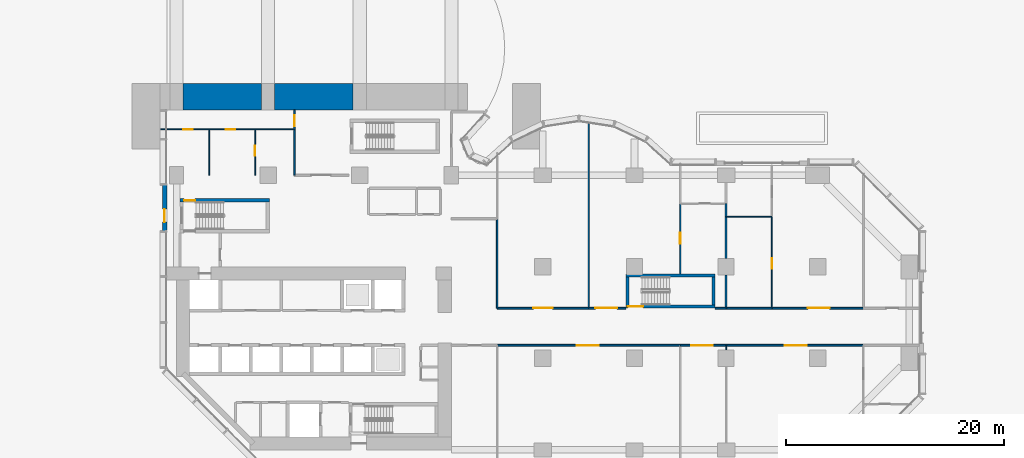
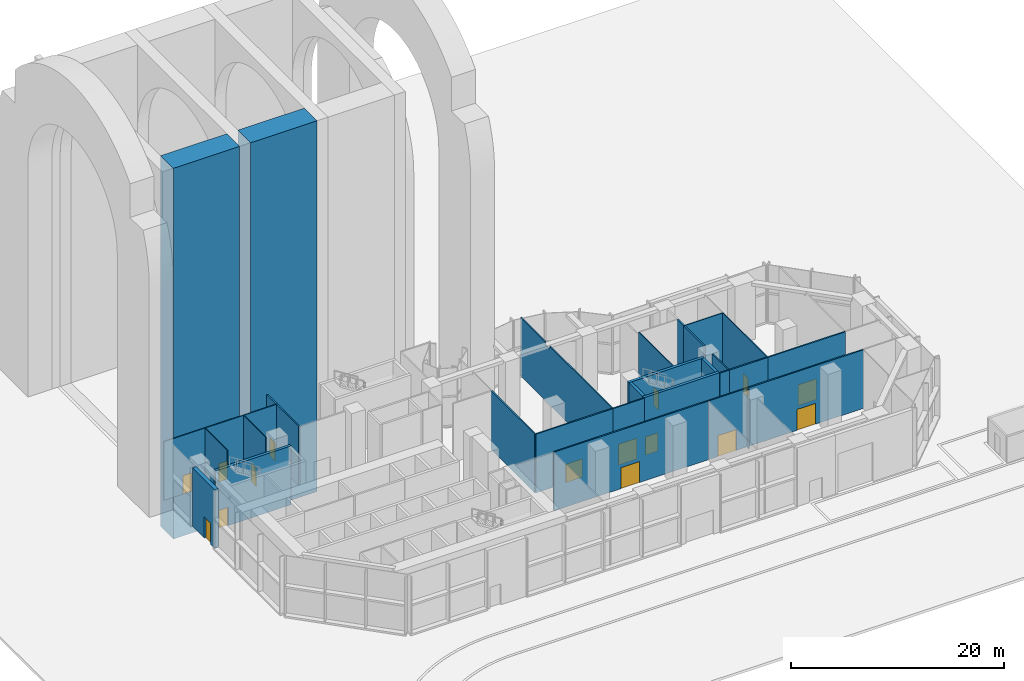
# One storey, part 9 of 21: 32 walls, 15 doors, 15 openings.
"""IFC4 building model written with IfcOpenShell, lengths in metres."""

from ifc_helpers import new_model, si_unit, direction, frame, frame_2d, origin, place, context, subcontext, project, spatial, polyline, rectangle, outline, extrude, material, layer, layer_set, type_object, element, fill, save


model = new_model("IFC4")

# Units and contexts
model_context = context("Model", 3, precision=1e-05, world=origin(), true_north=direction((0.0, 1.0)))
body_context = subcontext(model_context, "Body", "Model", "MODEL_VIEW")
ifc_project = project(units=[si_unit("LENGTHUNIT", "METRE"), si_unit("AREAUNIT", "SQUARE_METRE"), si_unit("VOLUMEUNIT", "CUBIC_METRE"), si_unit("PLANEANGLEUNIT", "RADIAN"), si_unit("MASSUNIT", "GRAM", prefix="KILO")], contexts=[model_context])

# Site, building, storey
site_placement = place(None, origin())
site = spatial("IfcSite", under=ifc_project, at=site_placement, CompositionType="ELEMENT")
building_placement = place(site_placement, origin())
building = spatial("IfcBuilding", under=site, at=building_placement, Name="Brevane Broadcast Tower", CompositionType="ELEMENT")
storey_placement = place(building_placement, origin())
storey = spatial("IfcBuildingStorey", under=building, at=storey_placement, Name="L00", CompositionType="ELEMENT", Elevation=0.0)

# Walls
ifc_material_1 = material(Name="Concrete C80/95", Category="concrete")
ifc_layer_1 = layer(ifc_material_1, 2.39990234375)
ifc_layer_set_1 = layer_set([ifc_layer_1], Name="ARCH PIER WALL 2400 C80/95")
wall_type_1 = type_object("IfcWallType", Name="ARCH PIER WALL 2400 C80/95", PredefinedType="SOLIDWALL", material=ifc_layer_set_1)
for number, where, z_axis, x_axis, name in (
    (1, (0.60009765625, 32.39990234375, -6.300048828125), (0.0, 0.0, 1.0), (1.0, 0.0, 0.0), "AP1 1"),
    (2, (9.0, 32.39990234375, -6.300048828125), (0.0, 0.0, 1.0), (1.0, 0.0, 0.0), "AP1 2"),
):
    element("IfcWall", number, at=place(storey_placement, frame(where, z_axis=z_axis, x_axis=x_axis)), inside=storey, type_object=wall_type_1, Name=name, PredefinedType="SOLIDWALL", context=body_context, shape_type="SweptSolid", body=[
        extrude(rectangle(XDim=7.199951171875, YDim=2.39990234375, at=frame_2d((3.60009765625, 0.0))), origin(), (0.0, 0.0, 1.0), 42.550048828125),
    ])

# Wall, opening, door
ifc_layer_2 = layer(ifc_material_1, 0.300048828125)
ifc_layer_set_2 = layer_set([ifc_layer_2], Name="Core wall 300 mm C80/95")
wall_type_2 = type_object("IfcWallType", Name="Core wall 300 mm C80/95", PredefinedType="SHEAR", material=ifc_layer_set_2)
wall_1_placement = place(storey_placement, frame((0.300048828125, 22.89990234375, 0.0), z_axis=(0.0, 0.0, 1.0), x_axis=(1.0, 0.0, 0.0)))
wall_1 = element("IfcWall", 3, at=wall_1_placement, inside=storey, type_object=wall_type_2, Name="L00 stair wall ST-1-N", PredefinedType="SHEAR", context=body_context, shape_type="SweptSolid", body=[
    extrude(rectangle(XDim=8.199951171875, YDim=0.300048828125, at=frame_2d((4.10009765625, 0.0))), origin(), (0.0, 0.0, 1.0), 6.75),
])
opening_1_placement = place(wall_1_placement, frame((0.39990234375, 0.0, 0.0)))
opening_1 = element("IfcOpeningElement", 4, at=opening_1_placement, cuts=wall_1, Name="Opening L00-K14", PredefinedType="OPENING", context=body_context, shape_type="SweptSolid", body=[
    extrude(rectangle(XDim=1.0, YDim=2.10009765625, at=frame_2d((0.5, 1.050048828125))), frame((0.0, 0.159912109375, 0.0), z_axis=(0.0, -1.0, 0.0), x_axis=(1.0, 0.0, 0.0)), (0.0, 0.0, 1.0), 0.320068359375),
])
ifc_material_2 = material(Name="Steel", Category="steel")
door_type_1 = type_object("IfcDoorType", Name="Stair door 1000 x 2100", OperationType="SINGLE_SWING_LEFT", PredefinedType="DOOR", material=ifc_material_2)
door_1_placement = place(opening_1_placement, origin())
door_1 = element("IfcDoor", 5, at=door_1_placement, inside=storey, type_object=door_type_1, Name="Door L00-K14", OperationType="SINGLE_SWING_LEFT", OverallHeight=2.10009765625, OverallWidth=1.0, PredefinedType="DOOR", context=body_context, shape_type="SweptSolid", body=[
    extrude(rectangle(XDim=1.0, YDim=2.10009765625, at=frame_2d((0.5, 1.050048828125))), frame((0.0, 0.02490234375, 0.0), z_axis=(0.0, -1.0, 0.0), x_axis=(1.0, 0.0, 0.0)), (0.0, 0.0, 1.0), 0.050048828125),
])
fill(opening_1, door_1)

wall_2_placement = place(storey_placement, frame((49.39990234375, 13.14990234375, 0.0), z_axis=(0.0, 0.0, 1.0), x_axis=(-1.0, 0.0, 0.0)))
wall_2 = element("IfcWall", 6, at=wall_2_placement, inside=storey, type_object=wall_type_2, Name="L00 stair wall ST-4-S", PredefinedType="SHEAR", context=body_context, shape_type="SweptSolid", body=[
    extrude(rectangle(XDim=8.199951171875, YDim=0.300048828125, at=frame_2d((4.10009765625, 0.0))), origin(), (0.0, 0.0, 1.0), 6.75),
])
opening_2_placement = place(wall_2_placement, frame((6.60009765625, 0.0, 0.0)))
opening_2 = element("IfcOpeningElement", 7, at=opening_2_placement, cuts=wall_2, Name="Opening L00-K20", PredefinedType="OPENING", context=body_context, shape_type="SweptSolid", body=[
    extrude(rectangle(XDim=1.39990234375, YDim=2.10009765625, at=frame_2d((0.699951171875, 1.050048828125))), frame((0.0, 0.159912109375, 0.0), z_axis=(0.0, -1.0, 0.0), x_axis=(1.0, 0.0, 0.0)), (0.0, 0.0, 1.0), 0.320068359375),
])
door_type_2 = type_object("IfcDoorType", Name="Stair door 1400 x 2100", OperationType="SINGLE_SWING_LEFT", PredefinedType="DOOR", material=ifc_material_2)
door_2_placement = place(opening_2_placement, origin())
door_2 = element("IfcDoor", 8, at=door_2_placement, inside=storey, type_object=door_type_2, Name="Door L00-K20", OperationType="SINGLE_SWING_LEFT", OverallHeight=2.10009765625, OverallWidth=1.39990234375, PredefinedType="DOOR", context=body_context, shape_type="SweptSolid", body=[
    extrude(rectangle(XDim=1.39990234375, YDim=2.10009765625, at=frame_2d((0.699951171875, 1.050048828125))), frame((0.0, 0.02490234375, 0.0), z_axis=(0.0, -1.0, 0.0), x_axis=(1.0, 0.0, 0.0)), (0.0, 0.0, 1.0), 0.050048828125),
])
fill(opening_2, door_2)

# Walls
wall_3_placement = place(storey_placement, frame((41.199951171875, 16.0, 0.0), z_axis=(0.0, 0.0, 1.0), x_axis=(1.0, 0.0, 0.0)))
element("IfcWall", 9, at=wall_3_placement, inside=storey, type_object=wall_type_2, Name="L00 stair wall ST-4-N", PredefinedType="SHEAR", context=body_context, shape_type="SweptSolid", body=[
    extrude(rectangle(XDim=8.199951171875, YDim=0.300048828125, at=frame_2d((4.10009765625, 0.0))), origin(), (0.0, 0.0, 1.0), 6.75),
])
for number, where, z_axis, x_axis, name in (
    (10, (41.35009765625, 13.300048828125, 0.0), (0.0, 0.0, 1.0), (0.0, 1.0, 0.0), "L00 stair wall ST-4-W"),
    (11, (49.25, 13.300048828125, 0.0), (0.0, 0.0, 1.0), (0.0, 1.0, 0.0), "L00 stair wall ST-4-E"),
):
    element("IfcWall", number, at=place(storey_placement, frame(where, z_axis=z_axis, x_axis=x_axis)), inside=storey, type_object=wall_type_2, Name=name, PredefinedType="SHEAR", context=body_context, shape_type="SweptSolid", body=[
        extrude(rectangle(XDim=2.550048828125, YDim=0.300048828125, at=frame_2d((1.27490234375, 0.0))), origin(), (0.0, 0.0, 1.0), 6.75),
    ])

# Wall, opening, door
ifc_material_3 = material(Name="Concrete C40/50", Category="concrete")
ifc_layer_3 = layer(ifc_material_3, 0.39990234375)
ifc_layer_set_3 = layer_set([ifc_layer_3], Name="Entrance portal wall 400")
wall_type_3 = type_object("IfcWallType", Name="Entrance portal wall 400", PredefinedType="SOLIDWALL", material=ifc_layer_set_3)
wall_4_placement = place(storey_placement, frame((-1.10009765625, 20.10009765625, 0.0), z_axis=(0.0, 0.0, 1.0), x_axis=(0.0, 1.0, 0.0)))
wall_4 = element("IfcWall", 12, at=wall_4_placement, inside=storey, type_object=wall_type_3, Name="Portal wall stair exit", PredefinedType="SOLIDWALL", context=body_context, shape_type="SweptSolid", body=[
    extrude(rectangle(XDim=4.199951171875, YDim=0.39990234375, at=frame_2d((2.10009765625, 0.0))), origin(), (0.0, 0.0, 1.0), 6.75),
])
opening_3_placement = place(wall_4_placement, frame((0.800048828125, 0.0, 0.0)))
opening_3 = element("IfcOpeningElement", 13, at=opening_3_placement, cuts=wall_4, Name="Opening EX10", PredefinedType="OPENING", context=body_context, shape_type="SweptSolid", body=[
    extrude(rectangle(XDim=1.199951171875, YDim=2.39990234375, at=frame_2d((0.60009765625, 1.199951171875))), frame((0.0, 0.2099609375, 0.0), z_axis=(0.0, -1.0, 0.0), x_axis=(1.0, 0.0, 0.0)), (0.0, 0.0, 1.0), 0.419921875),
])
ifc_material_4 = material(Name="Aluminium bronze anodised and laminated glass", Category="aluminium")
door_type_3 = type_object("IfcDoorType", Name="Stair exit door 1200x2400", OperationType="SINGLE_SWING_LEFT", PredefinedType="DOOR", material=ifc_material_4)
door_3_placement = place(opening_3_placement, origin())
door_3 = element("IfcDoor", 14, at=door_3_placement, inside=storey, type_object=door_type_3, Name="Stair exit", OperationType="SINGLE_SWING_LEFT", OverallHeight=2.39990234375, OverallWidth=1.199951171875, PredefinedType="DOOR", context=body_context, shape_type="SweptSolid", body=[
    extrude(rectangle(XDim=1.199951171875, YDim=2.39990234375, at=frame_2d((0.60009765625, 1.199951171875))), frame((0.0, 0.02490234375, 0.0), z_axis=(0.0, -1.0, 0.0), x_axis=(1.0, 0.0, 0.0)), (0.0, 0.0, 1.0), 0.050048828125),
])
fill(opening_3, door_3)

# Wall
ifc_material_5 = material(Name="Gypsum board partition")
ifc_layer_4 = layer(ifc_material_5, 0.10009765625)
ifc_layer_set_4 = layer_set([ifc_layer_4], Name="PARTITION 100 STUD")
wall_type_4 = type_object("IfcWallType", Name="PARTITION 100 STUD", PredefinedType="PARTITIONING", material=ifc_layer_set_4)
wall_5_placement = place(storey_placement, frame((50.39990234375, 9.169921875, 0.0), z_axis=(0.0, 0.0, 1.0), x_axis=(0.0, 1.0, 0.0)))
element("IfcWall", 15, at=wall_5_placement, inside=storey, type_object=wall_type_4, Name="Partition P0-012", PredefinedType="PARTITIONING", context=body_context, shape_type="SweptSolid", body=[
    extrude(rectangle(XDim=0.43017578125, YDim=0.10009765625, at=frame_2d((0.215087890625, 0.0))), origin(), (0.0, 0.0, 1.0), 6.72998046875),
])

# Wall, opening, door
wall_6_placement = place(storey_placement, frame((46.199951171875, 22.60009765625, 0.0), z_axis=(0.0, 0.0, 1.0), x_axis=(0.0, -1.0, 0.0)))
wall_6 = element("IfcWall", 16, at=wall_6_placement, inside=storey, type_object=wall_type_4, Name="Partition P0-027", PredefinedType="PARTITIONING", context=body_context, shape_type="SweptSolid", body=[
    extrude(rectangle(XDim=6.4501953125, YDim=0.10009765625, at=frame_2d((3.22509765625, 0.0))), origin(), (0.0, 0.0, 1.0), 6.72998046875),
])
opening_4_placement = place(wall_6_placement, frame((2.699951171875, 0.0, 0.0)))
opening_4 = element("IfcOpeningElement", 17, at=opening_4_placement, cuts=wall_6, Name="Opening D01-010", PredefinedType="OPENING", context=body_context, shape_type="SweptSolid", body=[
    extrude(rectangle(XDim=1.0, YDim=2.10009765625, at=frame_2d((0.5, 1.050048828125))), frame((0.0, 0.06005859375, 0.0), z_axis=(0.0, -1.0, 0.0), x_axis=(1.0, 0.0, 0.0)), (0.0, 0.0, 1.0), 0.1201171875),
])
ifc_material_6 = material(Name="Timber door leaf", Category="wood")
door_type_4 = type_object("IfcDoorType", Name="DOOR SINGLE 1000 INTERNAL", OperationType="SINGLE_SWING_LEFT", PredefinedType="DOOR", material=ifc_material_6)
door_4_placement = place(opening_4_placement, origin())
door_4 = element("IfcDoor", 18, at=door_4_placement, inside=storey, type_object=door_type_4, Name="Door D01-010", OperationType="SINGLE_SWING_LEFT", OverallHeight=2.10009765625, OverallWidth=1.0, PredefinedType="DOOR", context=body_context, shape_type="SweptSolid", body=[
    extrude(rectangle(XDim=1.0, YDim=2.10009765625, at=frame_2d((0.5, 1.050048828125))), frame((0.0, 0.02490234375, 0.0), z_axis=(0.0, -1.0, 0.0), x_axis=(1.0, 0.0, 0.0)), (0.0, 0.0, 1.0), 0.050048828125),
])
fill(opening_4, door_4)

wall_7_placement = place(storey_placement, frame((54.60009765625, 13.0, 0.0), z_axis=(0.0, 0.0, 1.0), x_axis=(0.0, 1.0, 0.0)))
wall_7 = element("IfcWall", 19, at=wall_7_placement, inside=storey, type_object=wall_type_4, Name="Partition P0-034", PredefinedType="PARTITIONING", context=body_context, shape_type="SweptSolid", body=[
    extrude(rectangle(XDim=8.39990234375, YDim=0.10009765625, at=frame_2d((4.199951171875, 0.0))), origin(), (0.0, 0.0, 1.0), 6.72998046875),
])
opening_5_placement = place(wall_7_placement, frame((3.60009765625, 0.0, 0.0)))
opening_5 = element("IfcOpeningElement", 20, at=opening_5_placement, cuts=wall_7, Name="Opening D01-013", PredefinedType="OPENING", context=body_context, shape_type="SweptSolid", body=[
    extrude(rectangle(XDim=1.0, YDim=2.10009765625, at=frame_2d((0.5, 1.050048828125))), frame((0.0, 0.06005859375, 0.0), z_axis=(0.0, -1.0, 0.0), x_axis=(1.0, 0.0, 0.0)), (0.0, 0.0, 1.0), 0.1201171875),
])
door_5_placement = place(opening_5_placement, origin())
door_5 = element("IfcDoor", 21, at=door_5_placement, inside=storey, type_object=door_type_4, Name="Door D01-013", OperationType="SINGLE_SWING_LEFT", OverallHeight=2.10009765625, OverallWidth=1.0, PredefinedType="DOOR", context=body_context, shape_type="SweptSolid", body=[
    extrude(rectangle(XDim=1.0, YDim=2.10009765625, at=frame_2d((0.5, 1.050048828125))), frame((0.0, 0.02490234375, 0.0), z_axis=(0.0, -1.0, 0.0), x_axis=(1.0, 0.0, 0.0)), (0.0, 0.0, 1.0), 0.050048828125),
])
fill(opening_5, door_5)

# Wall
wall_8_placement = place(storey_placement, frame((50.39990234375, 21.39990234375, 0.0), z_axis=(0.0, 0.0, 1.0), x_axis=(1.0, 0.0, 0.0)))
element("IfcWall", 22, at=wall_8_placement, inside=storey, type_object=wall_type_4, Name="Partition P0-037", PredefinedType="PARTITIONING", context=body_context, shape_type="SweptSolid", body=[
    extrude(rectangle(XDim=4.2001953125, YDim=0.10009765625, at=frame_2d((2.10009765625, 0.0))), origin(), (0.0, 0.0, 1.0), 6.72998046875),
])

# Wall, opening, door
wall_9_placement = place(storey_placement, frame((3.0, 29.39990234375, 0.0), z_axis=(0.0, 0.0, 1.0), x_axis=(-1.0, 0.0, 0.0)))
wall_9 = element("IfcWall", 23, at=wall_9_placement, inside=storey, type_object=wall_type_4, Name="Partition P0-049", PredefinedType="PARTITIONING", context=body_context, shape_type="SweptSolid", body=[
    extrude(rectangle(XDim=4.469970703125, YDim=0.10009765625, at=frame_2d((2.23486328125, 0.0))), origin(), (0.0, 0.0, 1.0), 6.72998046875),
])
opening_6_placement = place(wall_9_placement, frame((1.5, 0.0, 0.0)))
opening_6 = element("IfcOpeningElement", 24, at=opening_6_placement, cuts=wall_9, Name="Opening D01-017", PredefinedType="OPENING", context=body_context, shape_type="SweptSolid", body=[
    extrude(rectangle(XDim=0.89990234375, YDim=2.10009765625, at=frame_2d((0.449951171875, 1.050048828125))), frame((0.0, 0.06005859375, 0.0), z_axis=(0.0, -1.0, 0.0), x_axis=(1.0, 0.0, 0.0)), (0.0, 0.0, 1.0), 0.1201171875),
])
door_type_5 = type_object("IfcDoorType", Name="DOOR SINGLE 900 INTERNAL", OperationType="SINGLE_SWING_LEFT", PredefinedType="DOOR", material=ifc_material_6)
door_6_placement = place(opening_6_placement, origin())
door_6 = element("IfcDoor", 25, at=door_6_placement, inside=storey, type_object=door_type_5, Name="Door D01-017", OperationType="SINGLE_SWING_LEFT", OverallHeight=2.10009765625, OverallWidth=0.89990234375, PredefinedType="DOOR", context=body_context, shape_type="SweptSolid", body=[
    extrude(rectangle(XDim=0.89990234375, YDim=2.10009765625, at=frame_2d((0.449951171875, 1.050048828125))), frame((0.0, 0.02490234375, 0.0), z_axis=(0.0, -1.0, 0.0), x_axis=(1.0, 0.0, 0.0)), (0.0, 0.0, 1.0), 0.050048828125),
])
fill(opening_6, door_6)

wall_10_placement = place(storey_placement, frame((7.199951171875, 29.39990234375, 0.0), z_axis=(0.0, 0.0, 1.0), x_axis=(-1.0, 0.0, 0.0)))
wall_10 = element("IfcWall", 26, at=wall_10_placement, inside=storey, type_object=wall_type_4, Name="Partition P0-050", PredefinedType="PARTITIONING", context=body_context, shape_type="SweptSolid", body=[
    extrude(rectangle(XDim=4.199951171875, YDim=0.10009765625, at=frame_2d((2.10009765625, 0.0))), origin(), (0.0, 0.0, 1.0), 6.72998046875),
])
opening_7_placement = place(wall_10_placement, frame((1.800048828125, 0.0, 0.0)))
opening_7 = element("IfcOpeningElement", 27, at=opening_7_placement, cuts=wall_10, Name="Opening D01-018", PredefinedType="OPENING", context=body_context, shape_type="SweptSolid", body=[
    extrude(rectangle(XDim=0.89990234375, YDim=2.10009765625, at=frame_2d((0.449951171875, 1.050048828125))), frame((0.0, 0.06005859375, 0.0), z_axis=(0.0, -1.0, 0.0), x_axis=(1.0, 0.0, 0.0)), (0.0, 0.0, 1.0), 0.1201171875),
])
door_7_placement = place(opening_7_placement, origin())
door_7 = element("IfcDoor", 28, at=door_7_placement, inside=storey, type_object=door_type_5, Name="Door D01-018", OperationType="SINGLE_SWING_LEFT", OverallHeight=2.10009765625, OverallWidth=0.89990234375, PredefinedType="DOOR", context=body_context, shape_type="SweptSolid", body=[
    extrude(rectangle(XDim=0.89990234375, YDim=2.10009765625, at=frame_2d((0.449951171875, 1.050048828125))), frame((0.0, 0.02490234375, 0.0), z_axis=(0.0, -1.0, 0.0), x_axis=(1.0, 0.0, 0.0)), (0.0, 0.0, 1.0), 0.050048828125),
])
fill(opening_7, door_7)

# Walls
wall_11_placement = place(storey_placement, frame((10.800048828125, 29.39990234375, 0.0), z_axis=(0.0, 0.0, 1.0), x_axis=(-1.0, 0.0, 0.0)))
element("IfcWall", 29, at=wall_11_placement, inside=storey, type_object=wall_type_4, Name="Partition P0-051", PredefinedType="PARTITIONING", context=body_context, shape_type="SweptSolid", body=[
    extrude(rectangle(XDim=3.60009765625, YDim=0.10009765625, at=frame_2d((1.800048828125, 0.0))), origin(), (0.0, 0.0, 1.0), 6.72998046875),
])
wall_12_placement = place(storey_placement, frame((3.0, 29.39990234375, 0.0), z_axis=(0.0, 0.0, 1.0), x_axis=(0.0, -1.0, 0.0)))
element("IfcWall", 30, at=wall_12_placement, inside=storey, type_object=wall_type_4, Name="Partition P0-052", PredefinedType="PARTITIONING", context=body_context, shape_type="SweptSolid", body=[
    extrude(rectangle(XDim=4.199951171875, YDim=0.10009765625, at=frame_2d((2.10009765625, 0.0))), origin(), (0.0, 0.0, 1.0), 6.72998046875),
])

# Wall, opening, door
wall_13_placement = place(storey_placement, frame((7.199951171875, 29.39990234375, 0.0), z_axis=(0.0, 0.0, 1.0), x_axis=(0.0, -1.0, 0.0)))
wall_13 = element("IfcWall", 31, at=wall_13_placement, inside=storey, type_object=wall_type_4, Name="Partition P0-053", PredefinedType="PARTITIONING", context=body_context, shape_type="SweptSolid", body=[
    extrude(rectangle(XDim=4.199951171875, YDim=0.10009765625, at=frame_2d((2.10009765625, 0.0))), origin(), (0.0, 0.0, 1.0), 6.72998046875),
])
opening_8_placement = place(wall_13_placement, frame((1.5, 0.0, 0.0)))
opening_8 = element("IfcOpeningElement", 32, at=opening_8_placement, cuts=wall_13, Name="Opening D01-019", PredefinedType="OPENING", context=body_context, shape_type="SweptSolid", body=[
    extrude(rectangle(XDim=0.89990234375, YDim=2.10009765625, at=frame_2d((0.449951171875, 1.050048828125))), frame((0.0, 0.06005859375, 0.0), z_axis=(0.0, -1.0, 0.0), x_axis=(1.0, 0.0, 0.0)), (0.0, 0.0, 1.0), 0.1201171875),
])
door_8_placement = place(opening_8_placement, origin())
door_8 = element("IfcDoor", 33, at=door_8_placement, inside=storey, type_object=door_type_5, Name="Door D01-019", OperationType="SINGLE_SWING_LEFT", OverallHeight=2.10009765625, OverallWidth=0.89990234375, PredefinedType="DOOR", context=body_context, shape_type="SweptSolid", body=[
    extrude(rectangle(XDim=0.89990234375, YDim=2.10009765625, at=frame_2d((0.449951171875, 1.050048828125))), frame((0.0, 0.02490234375, 0.0), z_axis=(0.0, -1.0, 0.0), x_axis=(1.0, 0.0, 0.0)), (0.0, 0.0, 1.0), 0.050048828125),
])
fill(opening_8, door_8)

# Walls
ifc_layer_5 = layer(ifc_material_5, 0.125)
ifc_layer_set_5 = layer_set([ifc_layer_5], Name="PARTITION 125 ACOUSTIC")
wall_type_5 = type_object("IfcWallType", Name="PARTITION 125 ACOUSTIC", PredefinedType="PARTITIONING", material=ifc_layer_set_5)
wall_14_placement = place(storey_placement, frame((37.800048828125, 30.24267578125, 0.0), z_axis=(0.0, 0.0, 1.0), x_axis=(0.0, -1.0, 0.0)))
element("IfcWall", 34, at=wall_14_placement, inside=storey, type_object=wall_type_5, Name="Partition P0-026", PredefinedType="PARTITIONING", context=body_context, shape_type="SweptSolid", body=[
    extrude(outline(polyline([(0.0, 0.0), (17.24267578125, 0.0), (17.24267578125, 6.72998046875), (5.49267578125, 6.72998046875), (5.49072265625, 6.3798828125), (4.5947265625, 6.3798828125), (4.5927734375, 6.72998046875), (0.0, 6.72998046875), (0.0, 0.0)])), frame((0.0, 0.0625, 0.0), z_axis=(0.0, -1.0, 0.0), x_axis=(1.0, 0.0, 0.0)), (0.0, 0.0, 1.0), 0.125),
])
ifc_layer_6 = layer(ifc_material_5, 0.14990234375)
ifc_layer_set_6 = layer_set([ifc_layer_6], Name="PARTITION 150 EI 60")
wall_type_6 = type_object("IfcWallType", Name="PARTITION 150 EI 60", PredefinedType="PARTITIONING", material=ifc_layer_set_6)
wall_15_placement = place(storey_placement, frame((29.39990234375, 21.199951171875, 0.0), z_axis=(0.0, 0.0, 1.0), x_axis=(0.0, -1.0, 0.0)))
element("IfcWall", 35, at=wall_15_placement, inside=storey, type_object=wall_type_6, Name="Partition P0-004", PredefinedType="PARTITIONING", context=body_context, shape_type="SweptSolid", body=[
    extrude(rectangle(XDim=8.199951171875, YDim=0.14990234375, at=frame_2d((4.10009765625, 0.0))), origin(), (0.0, 0.0, 1.0), 6.72998046875),
])

# Wall, opening, door
wall_16_placement = place(storey_placement, frame((63.0, 9.60009765625, 0.0), z_axis=(0.0, 0.0, 1.0), x_axis=(-1.0, 0.0, 0.0)))
wall_16 = element("IfcWall", 36, at=wall_16_placement, inside=storey, type_object=wall_type_6, Name="Partition P0-010", PredefinedType="PARTITIONING", context=body_context, shape_type="SweptSolid", body=[
    extrude(rectangle(XDim=12.60009765625, YDim=0.14990234375, at=frame_2d((6.300048828125, 0.0))), origin(), (0.0, 0.0, 1.0), 6.72998046875),
])
opening_9_placement = place(wall_16_placement, frame((5.199951171875, 0.0, 0.0)))
opening_9 = element("IfcOpeningElement", 37, at=opening_9_placement, cuts=wall_16, Name="Opening D01-002", PredefinedType="OPENING", context=body_context, shape_type="SweptSolid", body=[
    extrude(rectangle(XDim=2.0, YDim=2.39990234375, at=frame_2d((1.0, 1.199951171875))), frame((0.0, 0.0849609375, 0.0), z_axis=(0.0, -1.0, 0.0), x_axis=(1.0, 0.0, 0.0)), (0.0, 0.0, 1.0), 0.169921875),
])
ifc_material_7 = material(Name="Fire-rated timber door leaf", Category="wood")
door_type_6 = type_object("IfcDoorType", Name="DOOR DOUBLE 2000 FD30S", OperationType="DOUBLE_DOOR_SINGLE_SWING", PredefinedType="DOOR", material=ifc_material_7)
door_9_placement = place(opening_9_placement, origin())
door_9 = element("IfcDoor", 38, at=door_9_placement, inside=storey, type_object=door_type_6, Name="Door D01-002", OperationType="DOUBLE_DOOR_SINGLE_SWING", OverallHeight=2.39990234375, OverallWidth=2.0, PredefinedType="DOOR", context=body_context, shape_type="SweptSolid", body=[
    extrude(rectangle(XDim=2.0, YDim=2.39990234375, at=frame_2d((1.0, 1.199951171875))), frame((0.0, 0.02490234375, 0.0), z_axis=(0.0, -1.0, 0.0), x_axis=(1.0, 0.0, 0.0)), (0.0, 0.0, 1.0), 0.050048828125),
])
fill(opening_9, door_9)

wall_17_placement = place(storey_placement, frame((46.199951171875, 9.60009765625, 0.0), z_axis=(0.0, 0.0, 1.0), x_axis=(-1.0, 0.0, 0.0)))
wall_17 = element("IfcWall", 39, at=wall_17_placement, inside=storey, type_object=wall_type_6, Name="Partition P0-016", PredefinedType="PARTITIONING", context=body_context, shape_type="SweptSolid", body=[
    extrude(rectangle(XDim=16.800048828125, YDim=0.14990234375, at=frame_2d((8.39990234375, 0.0))), origin(), (0.0, 0.0, 1.0), 6.72998046875),
])
opening_10_placement = place(wall_17_placement, frame((7.5, 0.0, 0.0)))
opening_10 = element("IfcOpeningElement", 40, at=opening_10_placement, cuts=wall_17, Name="Opening D01-005", PredefinedType="OPENING", context=body_context, shape_type="SweptSolid", body=[
    extrude(rectangle(XDim=2.0, YDim=2.39990234375, at=frame_2d((1.0, 1.199951171875))), frame((0.0, 0.0849609375, 0.0), z_axis=(0.0, -1.0, 0.0), x_axis=(1.0, 0.0, 0.0)), (0.0, 0.0, 1.0), 0.169921875),
])
door_10_placement = place(opening_10_placement, origin())
door_10 = element("IfcDoor", 41, at=door_10_placement, inside=storey, type_object=door_type_6, Name="Door D01-005", OperationType="DOUBLE_DOOR_SINGLE_SWING", OverallHeight=2.39990234375, OverallWidth=2.0, PredefinedType="DOOR", context=body_context, shape_type="SweptSolid", body=[
    extrude(rectangle(XDim=2.0, YDim=2.39990234375, at=frame_2d((1.0, 1.199951171875))), frame((0.0, 0.02490234375, 0.0), z_axis=(0.0, -1.0, 0.0), x_axis=(1.0, 0.0, 0.0)), (0.0, 0.0, 1.0), 0.050048828125),
])
fill(opening_10, door_10)

wall_18_placement = place(storey_placement, frame((50.39990234375, 9.60009765625, 0.0), z_axis=(0.0, 0.0, 1.0), x_axis=(-1.0, 0.0, 0.0)))
wall_18 = element("IfcWall", 42, at=wall_18_placement, inside=storey, type_object=wall_type_6, Name="Partition P0-017", PredefinedType="PARTITIONING", context=body_context, shape_type="SweptSolid", body=[
    extrude(rectangle(XDim=4.199951171875, YDim=0.14990234375, at=frame_2d((2.10009765625, 0.0))), origin(), (0.0, 0.0, 1.0), 6.72998046875),
])
opening_11_placement = place(wall_18_placement, frame((1.199951171875, 0.0, 0.0)))
opening_11 = element("IfcOpeningElement", 43, at=opening_11_placement, cuts=wall_18, Name="Opening D01-006", PredefinedType="OPENING", context=body_context, shape_type="SweptSolid", body=[
    extrude(rectangle(XDim=2.0, YDim=2.39990234375, at=frame_2d((1.0, 1.199951171875))), frame((0.0, 0.0849609375, 0.0), z_axis=(0.0, -1.0, 0.0), x_axis=(1.0, 0.0, 0.0)), (0.0, 0.0, 1.0), 0.169921875),
])
door_11_placement = place(opening_11_placement, origin())
door_11 = element("IfcDoor", 44, at=door_11_placement, inside=storey, type_object=door_type_6, Name="Door D01-006", OperationType="DOUBLE_DOOR_SINGLE_SWING", OverallHeight=2.39990234375, OverallWidth=2.0, PredefinedType="DOOR", context=body_context, shape_type="SweptSolid", body=[
    extrude(rectangle(XDim=2.0, YDim=2.39990234375, at=frame_2d((1.0, 1.199951171875))), frame((0.0, 0.02490234375, 0.0), z_axis=(0.0, -1.0, 0.0), x_axis=(1.0, 0.0, 0.0)), (0.0, 0.0, 1.0), 0.050048828125),
])
fill(opening_11, door_11)

wall_19_placement = place(storey_placement, frame((29.39990234375, 13.0, 0.0), z_axis=(0.0, 0.0, 1.0), x_axis=(1.0, 0.0, 0.0)))
wall_19 = element("IfcWall", 45, at=wall_19_placement, inside=storey, type_object=wall_type_6, Name="Partition P0-018", PredefinedType="PARTITIONING", context=body_context, shape_type="SweptSolid", body=[
    extrude(rectangle(XDim=8.400146484375, YDim=0.14990234375, at=frame_2d((4.2001953125, 0.0))), origin(), (0.0, 0.0, 1.0), 6.72998046875),
])
opening_12_placement = place(wall_19_placement, frame((3.300048828125, 0.0, 0.0)))
opening_12 = element("IfcOpeningElement", 46, at=opening_12_placement, cuts=wall_19, Name="Opening D01-008", PredefinedType="OPENING", context=body_context, shape_type="SweptSolid", body=[
    extrude(rectangle(XDim=1.800048828125, YDim=2.10009765625, at=frame_2d((0.89990234375, 1.050048828125))), frame((0.0, 0.0849609375, 0.0), z_axis=(0.0, -1.0, 0.0), x_axis=(1.0, 0.0, 0.0)), (0.0, 0.0, 1.0), 0.169921875),
])
door_type_7 = type_object("IfcDoorType", Name="DOOR DOUBLE 1800 FD30S", OperationType="DOUBLE_DOOR_SINGLE_SWING", PredefinedType="DOOR", material=ifc_material_7)
door_12_placement = place(opening_12_placement, origin())
door_12 = element("IfcDoor", 47, at=door_12_placement, inside=storey, type_object=door_type_7, Name="Door D01-008", OperationType="DOUBLE_DOOR_SINGLE_SWING", OverallHeight=2.10009765625, OverallWidth=1.800048828125, PredefinedType="DOOR", context=body_context, shape_type="SweptSolid", body=[
    extrude(rectangle(XDim=1.800048828125, YDim=2.10009765625, at=frame_2d((0.89990234375, 1.050048828125))), frame((0.0, 0.02490234375, 0.0), z_axis=(0.0, -1.0, 0.0), x_axis=(1.0, 0.0, 0.0)), (0.0, 0.0, 1.0), 0.050048828125),
])
fill(opening_12, door_12)

wall_20_placement = place(storey_placement, frame((37.800048828125, 13.0, 0.0), z_axis=(0.0, 0.0, 1.0), x_axis=(1.0, 0.0, 0.0)))
wall_20 = element("IfcWall", 48, at=wall_20_placement, inside=storey, type_object=wall_type_6, Name="Partition P0-019", PredefinedType="PARTITIONING", context=body_context, shape_type="SweptSolid", body=[
    extrude(rectangle(XDim=3.39990234375, YDim=0.14990234375, at=frame_2d((1.699951171875, 0.0))), origin(), (0.0, 0.0, 1.0), 6.72998046875),
])
opening_13_placement = place(wall_20_placement, frame((0.60009765625, 0.0, 0.0)))
opening_13 = element("IfcOpeningElement", 49, at=opening_13_placement, cuts=wall_20, Name="Opening D01-009", PredefinedType="OPENING", context=body_context, shape_type="SweptSolid", body=[
    extrude(rectangle(XDim=2.0, YDim=2.39990234375, at=frame_2d((1.0, 1.199951171875))), frame((0.0, 0.0849609375, 0.0), z_axis=(0.0, -1.0, 0.0), x_axis=(1.0, 0.0, 0.0)), (0.0, 0.0, 1.0), 0.169921875),
])
door_13_placement = place(opening_13_placement, origin())
door_13 = element("IfcDoor", 50, at=door_13_placement, inside=storey, type_object=door_type_6, Name="Door D01-009", OperationType="DOUBLE_DOOR_SINGLE_SWING", OverallHeight=2.39990234375, OverallWidth=2.0, PredefinedType="DOOR", context=body_context, shape_type="SweptSolid", body=[
    extrude(rectangle(XDim=2.0, YDim=2.39990234375, at=frame_2d((1.0, 1.199951171875))), frame((0.0, 0.02490234375, 0.0), z_axis=(0.0, -1.0, 0.0), x_axis=(1.0, 0.0, 0.0)), (0.0, 0.0, 1.0), 0.050048828125),
])
fill(opening_13, door_13)

# Wall
wall_21_placement = place(storey_placement, frame((49.39990234375, 13.0, 0.0), z_axis=(0.0, 0.0, 1.0), x_axis=(1.0, 0.0, 0.0)))
element("IfcWall", 51, at=wall_21_placement, inside=storey, type_object=wall_type_6, Name="Partition P0-020", PredefinedType="PARTITIONING", context=body_context, shape_type="SweptSolid", body=[
    extrude(rectangle(XDim=1.0, YDim=0.14990234375, at=frame_2d((0.5, 0.0))), origin(), (0.0, 0.0, 1.0), 6.72998046875),
])

# Wall, opening, door
wall_22_placement = place(storey_placement, frame((54.60009765625, 13.0, 0.0), z_axis=(0.0, 0.0, 1.0), x_axis=(1.0, 0.0, 0.0)))
wall_22 = element("IfcWall", 52, at=wall_22_placement, inside=storey, type_object=wall_type_6, Name="Partition P0-021", PredefinedType="PARTITIONING", context=body_context, shape_type="SweptSolid", body=[
    extrude(rectangle(XDim=8.39990234375, YDim=0.14990234375, at=frame_2d((4.199951171875, 0.0))), origin(), (0.0, 0.0, 1.0), 6.72998046875),
])
opening_14_placement = place(wall_22_placement, frame((3.300048828125, 0.0, 0.0)))
opening_14 = element("IfcOpeningElement", 53, at=opening_14_placement, cuts=wall_22, Name="Opening D01-012", PredefinedType="OPENING", context=body_context, shape_type="SweptSolid", body=[
    extrude(rectangle(XDim=2.0, YDim=2.39990234375, at=frame_2d((1.0, 1.199951171875))), frame((0.0, 0.0849609375, 0.0), z_axis=(0.0, -1.0, 0.0), x_axis=(1.0, 0.0, 0.0)), (0.0, 0.0, 1.0), 0.169921875),
])
door_14_placement = place(opening_14_placement, origin())
door_14 = element("IfcDoor", 54, at=door_14_placement, inside=storey, type_object=door_type_6, Name="Door D01-012", OperationType="DOUBLE_DOOR_SINGLE_SWING", OverallHeight=2.39990234375, OverallWidth=2.0, PredefinedType="DOOR", context=body_context, shape_type="SweptSolid", body=[
    extrude(rectangle(XDim=2.0, YDim=2.39990234375, at=frame_2d((1.0, 1.199951171875))), frame((0.0, 0.02490234375, 0.0), z_axis=(0.0, -1.0, 0.0), x_axis=(1.0, 0.0, 0.0)), (0.0, 0.0, 1.0), 0.050048828125),
])
fill(opening_14, door_14)

# Walls
wall_23_placement = place(storey_placement, frame((50.39990234375, 13.0, 0.0), z_axis=(0.0, 0.0, 1.0), x_axis=(1.0, 0.0, 0.0)))
element("IfcWall", 55, at=wall_23_placement, inside=storey, type_object=wall_type_6, Name="Partition P0-022", PredefinedType="PARTITIONING", context=body_context, shape_type="SweptSolid", body=[
    extrude(rectangle(XDim=4.2001953125, YDim=0.14990234375, at=frame_2d((2.10009765625, 0.0))), origin(), (0.0, 0.0, 1.0), 6.72998046875),
])
wall_24_placement = place(storey_placement, frame((50.39990234375, 21.39990234375, 0.0), z_axis=(0.0, 0.0, 1.0), x_axis=(0.0, -1.0, 0.0)))
element("IfcWall", 56, at=wall_24_placement, inside=storey, type_object=wall_type_6, Name="Partition P0-030", PredefinedType="PARTITIONING", context=body_context, shape_type="SweptSolid", body=[
    extrude(rectangle(XDim=3.829833984375, YDim=0.14990234375, at=frame_2d((1.9150390625, 0.0))), origin(), (0.0, 0.0, 1.0), 6.72998046875),
])
wall_25_placement = place(storey_placement, frame((50.39990234375, 16.030029296875, 0.0), z_axis=(0.0, 0.0, 1.0), x_axis=(0.0, -1.0, 0.0)))
element("IfcWall", 57, at=wall_25_placement, inside=storey, type_object=wall_type_6, Name="Partition P0-031", PredefinedType="PARTITIONING", context=body_context, shape_type="SweptSolid", body=[
    extrude(rectangle(XDim=3.030029296875, YDim=0.14990234375, at=frame_2d((1.51513671875, 0.0))), origin(), (0.0, 0.0, 1.0), 6.72998046875),
])
wall_26_placement = place(storey_placement, frame((50.39990234375, 22.60009765625, 0.0), z_axis=(0.0, 0.0, 1.0), x_axis=(0.0, -1.0, 0.0)))
element("IfcWall", 58, at=wall_26_placement, inside=storey, type_object=wall_type_6, Name="Partition P0-032", PredefinedType="PARTITIONING", context=body_context, shape_type="SweptSolid", body=[
    extrude(rectangle(XDim=1.2001953125, YDim=0.14990234375, at=frame_2d((0.60009765625, 0.0))), origin(), (0.0, 0.0, 1.0), 6.72998046875),
])

# Wall, opening, door
wall_27_placement = place(storey_placement, frame((10.800048828125, 29.39990234375, 0.0), z_axis=(0.0, 0.0, 1.0), x_axis=(0.0, 1.0, 0.0)))
wall_27 = element("IfcWall", 59, at=wall_27_placement, inside=storey, type_object=wall_type_6, Name="Partition P0-038", PredefinedType="PARTITIONING", context=body_context, shape_type="SweptSolid", body=[
    extrude(rectangle(XDim=1.800048828125, YDim=0.14990234375, at=frame_2d((0.89990234375, 0.0))), origin(), (0.0, 0.0, 1.0), 6.72998046875),
])
opening_15_placement = place(wall_27_placement, frame((0.300048828125, 0.0, 0.0)))
opening_15 = element("IfcOpeningElement", 60, at=opening_15_placement, cuts=wall_27, Name="Opening D01-016", PredefinedType="OPENING", context=body_context, shape_type="SweptSolid", body=[
    extrude(rectangle(XDim=1.0, YDim=2.10009765625, at=frame_2d((0.5, 1.050048828125))), frame((0.0, 0.0849609375, 0.0), z_axis=(0.0, -1.0, 0.0), x_axis=(1.0, 0.0, 0.0)), (0.0, 0.0, 1.0), 0.169921875),
])
door_type_8 = type_object("IfcDoorType", Name="DOOR SINGLE 1000 FD30S", OperationType="SINGLE_SWING_LEFT", PredefinedType="DOOR", material=ifc_material_7)
door_15_placement = place(opening_15_placement, origin())
door_15 = element("IfcDoor", 61, at=door_15_placement, inside=storey, type_object=door_type_8, Name="Door D01-016", OperationType="SINGLE_SWING_LEFT", OverallHeight=2.10009765625, OverallWidth=1.0, PredefinedType="DOOR", context=body_context, shape_type="SweptSolid", body=[
    extrude(rectangle(XDim=1.0, YDim=2.10009765625, at=frame_2d((0.5, 1.050048828125))), frame((0.0, 0.02490234375, 0.0), z_axis=(0.0, -1.0, 0.0), x_axis=(1.0, 0.0, 0.0)), (0.0, 0.0, 1.0), 0.050048828125),
])
fill(opening_15, door_15)

# Wall
wall_28_placement = place(storey_placement, frame((10.800048828125, 25.199951171875, 0.0), z_axis=(0.0, 0.0, 1.0), x_axis=(0.0, 1.0, 0.0)))
element("IfcWall", 62, at=wall_28_placement, inside=storey, type_object=wall_type_6, Name="Partition P0-039", PredefinedType="PARTITIONING", context=body_context, shape_type="SweptSolid", body=[
    extrude(rectangle(XDim=4.199951171875, YDim=0.14990234375, at=frame_2d((2.10009765625, 0.0))), origin(), (0.0, 0.0, 1.0), 6.72998046875),
])

save(model, "model.ifc")
